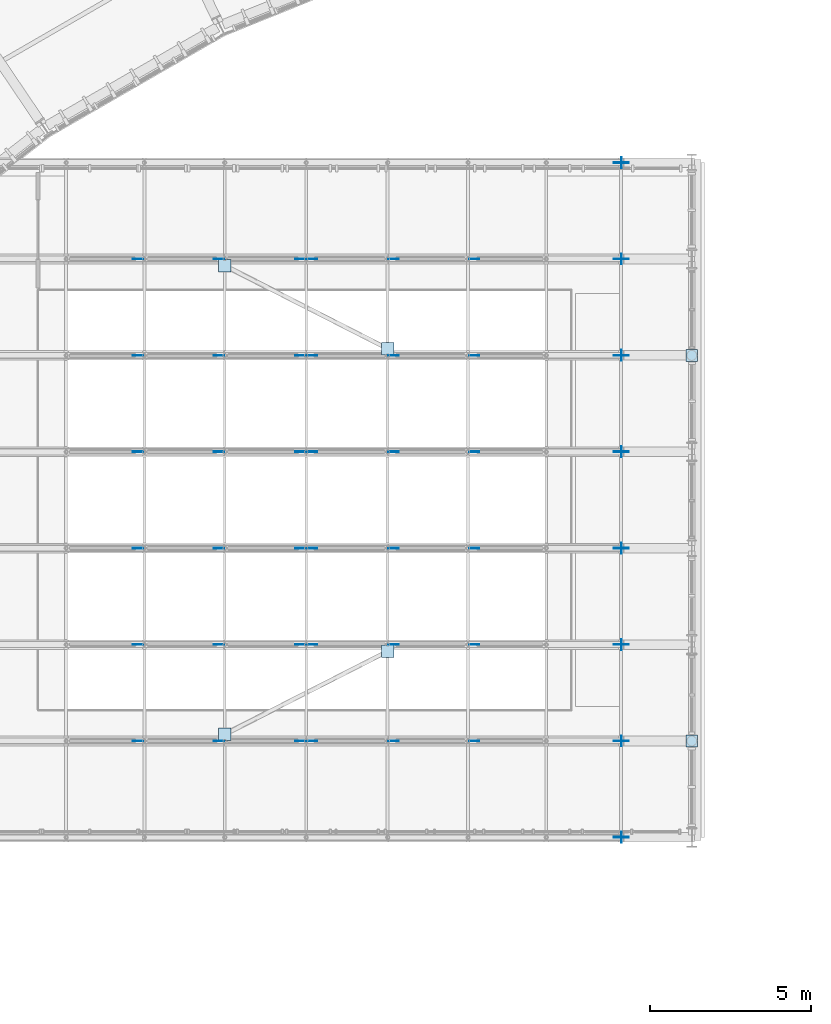
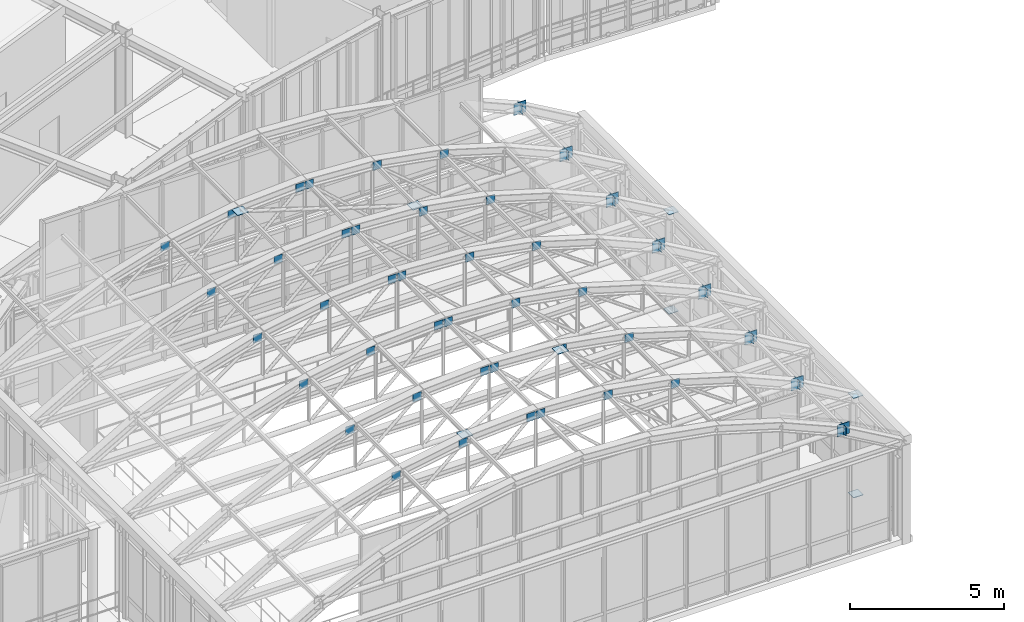
# One storey, part 117 of 148: 60 plates.
"""IFC4 building model written with IfcOpenShell, lengths in metres."""

from ifc_helpers import new_model, si_unit, direction, frame, origin, origin_2d, place, context, subcontext, project, spatial, rectangle, extrude, material, layer, layer_set, type_object, element, save


model = new_model("IFC4")

# Units and contexts
model_context = context("Model", 3, precision=1e-05, world=origin(), true_north=direction((0.0, 1.0)))
body_context = subcontext(model_context, "Body", "Model", "MODEL_VIEW")
ifc_project = project(units=[si_unit("LENGTHUNIT", "METRE"), si_unit("AREAUNIT", "SQUARE_METRE"), si_unit("VOLUMEUNIT", "CUBIC_METRE"), si_unit("PLANEANGLEUNIT", "RADIAN"), si_unit("MASSUNIT", "GRAM", prefix="KILO"), si_unit("THERMODYNAMICTEMPERATUREUNIT", "KELVIN"), si_unit("POWERUNIT", "WATT")], contexts=[model_context])

# Site, building, storey
site_placement = place(None, origin())
site = spatial("IfcSite", under=ifc_project, at=site_placement, CompositionType="ELEMENT")
building_placement = place(site_placement, origin())
building = spatial("IfcBuilding", under=site, at=building_placement, Name="Solvatero Civic Police Headquarters", CompositionType="ELEMENT")
storey_placement = place(building_placement, frame((0.0, 0.0, 5.10009765625)))
storey = spatial("IfcBuildingStorey", under=building, at=storey_placement, Name="L01", CompositionType="ELEMENT", Elevation=5.10009765625)

# Plates
ifc_material = material(Name="Steel S355", Category="steel")
ifc_layer_1 = layer(ifc_material, 0.02001953125)
ifc_layer_set_1 = layer_set([ifc_layer_1], Name="Steel S355")
plate_type_1 = type_object("IfcPlateType", Name="PLT-CAP-20", PredefinedType="SHEET", material=ifc_layer_set_1)
for number, where, z_axis, x_axis, name in (
    (1, (88.800048828125, 44.5, 3.919921875), (0.0, 0.0, 1.0), (1.0, 0.0, 0.0), "Hollow Section End Cap Plate 0063"),
    (2, (88.800048828125, 44.5, -0.02001953125), (0.0, 0.0, 1.0), (1.0, 0.0, 0.0), "Hollow Section End Cap Plate 0064"),
    (3, (88.800048828125, 56.5, 3.919921875), (0.0, 0.0, 1.0), (1.0, 0.0, 0.0), "Hollow Section End Cap Plate 0065"),
    (4, (88.800048828125, 56.5, -0.02001953125), (0.0, 0.0, 1.0), (1.0, 0.0, 0.0), "Hollow Section End Cap Plate 0066"),
):
    element("IfcPlate", number, at=place(storey_placement, frame(where, z_axis=z_axis, x_axis=x_axis)), inside=storey, type_object=plate_type_1, Name=name, PredefinedType="SHEET", context=body_context, shape_type="SweptSolid", body=[
        extrude(rectangle(XDim=0.364013671875, YDim=0.364013671875, at=origin_2d()), origin(), (0.0, 0.0, 1.0), 0.02001953125),
    ])
for number, where, z_axis, x_axis, name in (
    (5, (86.611572265625, 41.5, 4.96630859375), (0.0, 0.0, 1.0), (1.0, 0.0, 0.0), "Hollow Section End Cap Plate 0168"),
    (6, (86.611572265625, 44.5, 4.96630859375), (0.0, 0.0, 1.0), (1.0, 0.0, 0.0), "Hollow Section End Cap Plate 0170"),
    (7, (86.611572265625, 47.5, 4.96630859375), (0.0, 0.0, 1.0), (1.0, 0.0, 0.0), "Hollow Section End Cap Plate 0172"),
    (8, (86.611572265625, 50.5, 4.96630859375), (0.0, 0.0, 1.0), (1.0, 0.0, 0.0), "Hollow Section End Cap Plate 0174"),
    (9, (86.611572265625, 53.5, 4.96630859375), (0.0, 0.0, 1.0), (1.0, 0.0, 0.0), "Hollow Section End Cap Plate 0176"),
    (10, (86.611572265625, 56.5, 4.96630859375), (0.0, 0.0, 1.0), (1.0, 0.0, 0.0), "Hollow Section End Cap Plate 0178"),
    (11, (86.611572265625, 59.5, 4.96630859375), (0.0, 0.0, 1.0), (1.0, 0.0, 0.0), "Hollow Section End Cap Plate 0180"),
    (12, (86.611572265625, 62.5, 4.96630859375), (0.0, 0.0, 1.0), (1.0, 0.0, 0.0), "Hollow Section End Cap Plate 0182"),
):
    element("IfcPlate", number, at=place(storey_placement, frame(where, z_axis=z_axis, x_axis=x_axis)), inside=storey, type_object=plate_type_1, Name=name, PredefinedType="SHEET", context=body_context, shape_type="SweptSolid", body=[
        extrude(rectangle(XDim=0.02001953125, YDim=0.340087890625, at=origin_2d()), origin(), (0.0, 0.0, 1.0), 0.340087890625),
    ])
ifc_layer_2 = layer(ifc_material, 0.02001953125)
ifc_layer_set_2 = layer_set([ifc_layer_2], Name="Steel S355")
plate_type_2 = type_object("IfcPlateType", Name="PLT-GUS-16", PredefinedType="SHEET", material=ifc_layer_set_2)
for number, where, z_axis, x_axis, name in (
    (13, (71.567626953125, 44.5, 6.57470703125), (0.0, 0.0, 1.0), (1.0, 0.0, 0.0), "VLT2 Vault Diagonal Gusset F2.2"),
    (14, (74.083251953125, 44.5, 6.998046875), (0.0, 0.0, 1.0), (1.0, 0.0, 0.0), "VLT2 Vault Diagonal Gusset F2.3"),
    (15, (76.623291015625, 44.5, 7.1416015625), (0.0, 0.0, 1.0), (1.0, 0.0, 0.0), "VLT2 Vault Diagonal Gusset F2.4"),
    (16, (76.976806640625, 44.5, 7.1416015625), (0.0, 0.0, 1.0), (1.0, 0.0, 0.0), "VLT2 Vault Diagonal Gusset F2.5"),
    (17, (79.5166015625, 44.5, 6.998046875), (0.0, 0.0, 1.0), (1.0, 0.0, 0.0), "VLT2 Vault Diagonal Gusset F2.6"),
    (18, (82.032470703125, 44.5, 6.57470703125), (0.0, 0.0, 1.0), (1.0, 0.0, 0.0), "VLT2 Vault Diagonal Gusset F2.7"),
    (19, (71.567626953125, 47.5, 6.57470703125), (0.0, 0.0, 1.0), (1.0, 0.0, 0.0), "VLT2 Vault Diagonal Gusset F3.2"),
    (20, (74.083251953125, 47.5, 6.998046875), (0.0, 0.0, 1.0), (1.0, 0.0, 0.0), "VLT2 Vault Diagonal Gusset F3.3"),
    (21, (76.623291015625, 47.5, 7.1416015625), (0.0, 0.0, 1.0), (1.0, 0.0, 0.0), "VLT2 Vault Diagonal Gusset F3.4"),
    (22, (76.976806640625, 47.5, 7.1416015625), (0.0, 0.0, 1.0), (1.0, 0.0, 0.0), "VLT2 Vault Diagonal Gusset F3.5"),
    (23, (79.5166015625, 47.5, 6.998046875), (0.0, 0.0, 1.0), (1.0, 0.0, 0.0), "VLT2 Vault Diagonal Gusset F3.6"),
    (24, (82.032470703125, 47.5, 6.57470703125), (0.0, 0.0, 1.0), (1.0, 0.0, 0.0), "VLT2 Vault Diagonal Gusset F3.7"),
    (25, (71.567626953125, 50.5, 6.57470703125), (0.0, 0.0, 1.0), (1.0, 0.0, 0.0), "VLT2 Vault Diagonal Gusset F4.2"),
    (26, (74.083251953125, 50.5, 6.998046875), (0.0, 0.0, 1.0), (1.0, 0.0, 0.0), "VLT2 Vault Diagonal Gusset F4.3"),
    (27, (76.623291015625, 50.5, 7.1416015625), (0.0, 0.0, 1.0), (1.0, 0.0, 0.0), "VLT2 Vault Diagonal Gusset F4.4"),
    (28, (76.976806640625, 50.5, 7.1416015625), (0.0, 0.0, 1.0), (1.0, 0.0, 0.0), "VLT2 Vault Diagonal Gusset F4.5"),
    (29, (79.5166015625, 50.5, 6.998046875), (0.0, 0.0, 1.0), (1.0, 0.0, 0.0), "VLT2 Vault Diagonal Gusset F4.6"),
    (30, (82.032470703125, 50.5, 6.57470703125), (0.0, 0.0, 1.0), (1.0, 0.0, 0.0), "VLT2 Vault Diagonal Gusset F4.7"),
    (31, (71.567626953125, 53.5, 6.57470703125), (0.0, 0.0, 1.0), (1.0, 0.0, 0.0), "VLT2 Vault Diagonal Gusset F5.2"),
    (32, (74.083251953125, 53.5, 6.998046875), (0.0, 0.0, 1.0), (1.0, 0.0, 0.0), "VLT2 Vault Diagonal Gusset F5.3"),
    (33, (76.623291015625, 53.5, 7.1416015625), (0.0, 0.0, 1.0), (1.0, 0.0, 0.0), "VLT2 Vault Diagonal Gusset F5.4"),
    (34, (76.976806640625, 53.5, 7.1416015625), (0.0, 0.0, 1.0), (1.0, 0.0, 0.0), "VLT2 Vault Diagonal Gusset F5.5"),
    (35, (79.5166015625, 53.5, 6.998046875), (0.0, 0.0, 1.0), (1.0, 0.0, 0.0), "VLT2 Vault Diagonal Gusset F5.6"),
    (36, (82.032470703125, 53.5, 6.57470703125), (0.0, 0.0, 1.0), (1.0, 0.0, 0.0), "VLT2 Vault Diagonal Gusset F5.7"),
    (37, (71.567626953125, 56.5, 6.57470703125), (0.0, 0.0, 1.0), (1.0, 0.0, 0.0), "VLT2 Vault Diagonal Gusset F6.2"),
    (38, (74.083251953125, 56.5, 6.998046875), (0.0, 0.0, 1.0), (1.0, 0.0, 0.0), "VLT2 Vault Diagonal Gusset F6.3"),
    (39, (76.623291015625, 56.5, 7.1416015625), (0.0, 0.0, 1.0), (1.0, 0.0, 0.0), "VLT2 Vault Diagonal Gusset F6.4"),
    (40, (76.976806640625, 56.5, 7.1416015625), (0.0, 0.0, 1.0), (1.0, 0.0, 0.0), "VLT2 Vault Diagonal Gusset F6.5"),
    (41, (79.5166015625, 56.5, 6.998046875), (0.0, 0.0, 1.0), (1.0, 0.0, 0.0), "VLT2 Vault Diagonal Gusset F6.6"),
    (42, (82.032470703125, 56.5, 6.57470703125), (0.0, 0.0, 1.0), (1.0, 0.0, 0.0), "VLT2 Vault Diagonal Gusset F6.7"),
    (43, (71.567626953125, 59.5, 6.57470703125), (0.0, 0.0, 1.0), (1.0, 0.0, 0.0), "VLT2 Vault Diagonal Gusset F7.2"),
    (44, (74.083251953125, 59.5, 6.998046875), (0.0, 0.0, 1.0), (1.0, 0.0, 0.0), "VLT2 Vault Diagonal Gusset F7.3"),
    (45, (76.623291015625, 59.5, 7.1416015625), (0.0, 0.0, 1.0), (1.0, 0.0, 0.0), "VLT2 Vault Diagonal Gusset F7.4"),
    (46, (76.976806640625, 59.5, 7.1416015625), (0.0, 0.0, 1.0), (1.0, 0.0, 0.0), "VLT2 Vault Diagonal Gusset F7.5"),
    (47, (79.5166015625, 59.5, 6.998046875), (0.0, 0.0, 1.0), (1.0, 0.0, 0.0), "VLT2 Vault Diagonal Gusset F7.6"),
    (48, (82.032470703125, 59.5, 6.57470703125), (0.0, 0.0, 1.0), (1.0, 0.0, 0.0), "VLT2 Vault Diagonal Gusset F7.7"),
):
    element("IfcPlate", number, at=place(storey_placement, frame(where, z_axis=z_axis, x_axis=x_axis)), inside=storey, type_object=plate_type_2, Name=name, PredefinedType="SHEET", context=body_context, shape_type="SweptSolid", body=[
        extrude(rectangle(XDim=0.320068359375, YDim=0.02001953125, at=origin_2d()), origin(), (0.0, 0.0, 1.0), 0.320068359375),
    ])
for number, where, z_axis, x_axis, name in (
    (49, (74.26416015625, 44.7080078125, 7.305908203125), (0.0, 0.0, 1.0), (1.0, 0.0, 0.0), "VLT2 Wind Brace Gusset A B2"),
    (50, (79.335693359375, 47.2919921875, 7.305908203125), (0.0, 0.0, 1.0), (1.0, 0.0, 0.0), "VLT2 Wind Brace Gusset B B2"),
    (51, (79.335693359375, 56.7080078125, 7.305908203125), (0.0, 0.0, 1.0), (1.0, 0.0, 0.0), "VLT2 Wind Brace Gusset A B6"),
    (52, (74.26416015625, 59.2919921875, 7.305908203125), (0.0, 0.0, 1.0), (1.0, 0.0, 0.0), "VLT2 Wind Brace Gusset B B6"),
):
    element("IfcPlate", number, at=place(storey_placement, frame(where, z_axis=z_axis, x_axis=x_axis)), inside=storey, type_object=plate_type_2, Name=name, PredefinedType="SHEET", context=body_context, shape_type="SweptSolid", body=[
        extrude(rectangle(XDim=0.39990234375, YDim=0.39990234375, at=origin_2d()), origin(), (0.0, 0.0, 1.0), 0.02001953125),
    ])
ifc_layer_3 = layer(ifc_material, 0.02490234375)
ifc_layer_set_3 = layer_set([ifc_layer_3], Name="Steel S355")
plate_type_3 = type_object("IfcPlateType", Name="PLT-GUS-20", PredefinedType="SHEET", material=ifc_layer_set_3)
for number, where, z_axis, x_axis, name in (
    (53, (86.6015625, 41.5, 4.90625), (0.0, 0.0, 1.0), (1.0, 0.0, 0.0), "VLT2 Haunch Gusset E F1"),
    (54, (86.6015625, 44.5, 4.90625), (0.0, 0.0, 1.0), (1.0, 0.0, 0.0), "VLT2 Haunch Gusset E F2"),
    (55, (86.6015625, 47.5, 4.90625), (0.0, 0.0, 1.0), (1.0, 0.0, 0.0), "VLT2 Haunch Gusset E F3"),
    (56, (86.6015625, 50.5, 4.90625), (0.0, 0.0, 1.0), (1.0, 0.0, 0.0), "VLT2 Haunch Gusset E F4"),
    (57, (86.6015625, 53.5, 4.90625), (0.0, 0.0, 1.0), (1.0, 0.0, 0.0), "VLT2 Haunch Gusset E F5"),
    (58, (86.6015625, 56.5, 4.90625), (0.0, 0.0, 1.0), (1.0, 0.0, 0.0), "VLT2 Haunch Gusset E F6"),
    (59, (86.6015625, 59.5, 4.90625), (0.0, 0.0, 1.0), (1.0, 0.0, 0.0), "VLT2 Haunch Gusset E F7"),
    (60, (86.6015625, 62.5, 4.90625), (0.0, 0.0, 1.0), (1.0, 0.0, 0.0), "VLT2 Haunch Gusset E F8"),
):
    element("IfcPlate", number, at=place(storey_placement, frame(where, z_axis=z_axis, x_axis=x_axis)), inside=storey, type_object=plate_type_3, Name=name, PredefinedType="SHEET", context=body_context, shape_type="SweptSolid", body=[
        extrude(rectangle(XDim=0.4599609375, YDim=0.02490234375, at=origin_2d()), origin(), (0.0, 0.0, 1.0), 0.4599609375),
    ])

save(model, "model.ifc")
